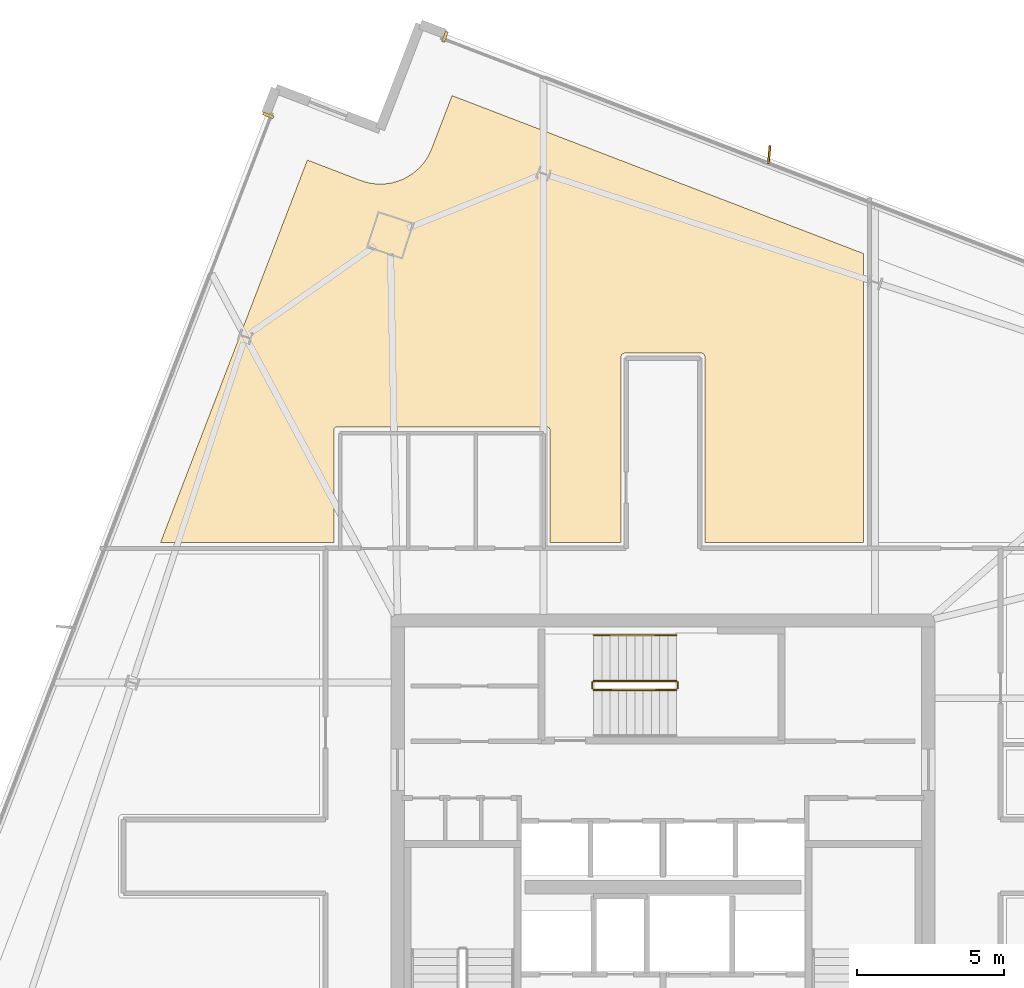
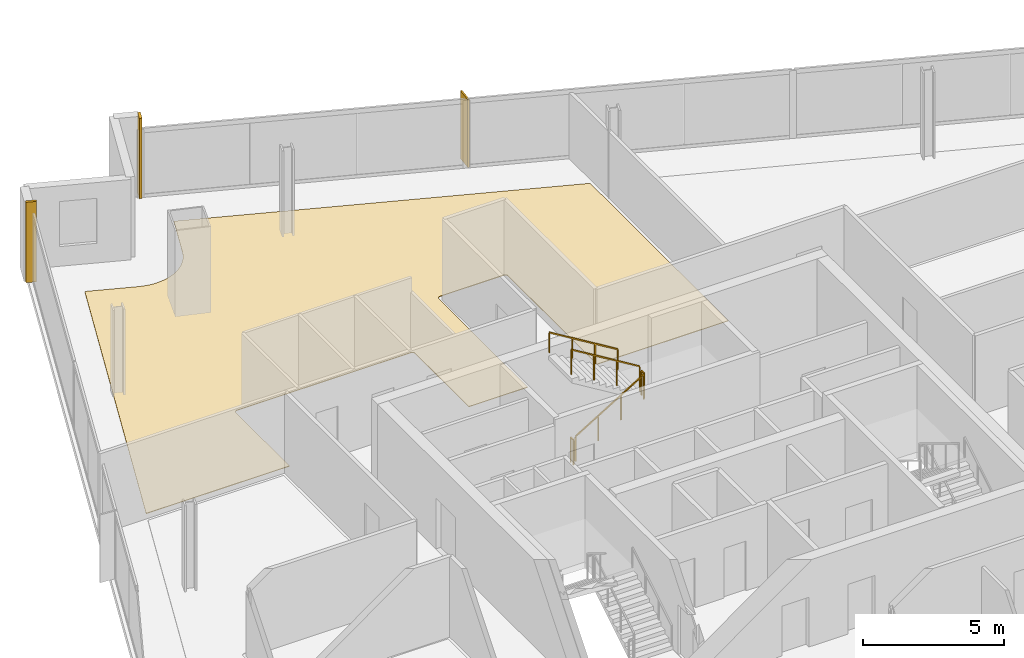
# One storey, part 26 of 27: 5 railings, 3 coverings, 1 shading device.
"""IFC4 building model written with IfcOpenShell, lengths in metres."""

from ifc_helpers import new_model, si_unit, direction, frame, origin, origin_2d, place, context, subcontext, project, spatial, polyline, rectangle, outline, extrude, source, transform, mapped, material, layer, layer_set, type_object, element, save


model = new_model("IFC4")

# Units and contexts
model_context = context("Model", 3, precision=1e-05, world=origin(), true_north=direction((0.0, 1.0)))
body_context = subcontext(model_context, "Body", "Model", "MODEL_VIEW")
ifc_project = project(units=[si_unit("LENGTHUNIT", "METRE"), si_unit("AREAUNIT", "SQUARE_METRE"), si_unit("VOLUMEUNIT", "CUBIC_METRE"), si_unit("PLANEANGLEUNIT", "RADIAN"), si_unit("MASSUNIT", "GRAM", prefix="KILO")], contexts=[model_context])

# Site, building, storey
site_placement = place(None, origin())
site = spatial("IfcSite", under=ifc_project, at=site_placement, CompositionType="ELEMENT")
building_placement = place(site_placement, origin())
building = spatial("IfcBuilding", under=site, at=building_placement, Name="Haldenkirk Collegiate Tower", CompositionType="ELEMENT")
storey_placement = place(building_placement, frame((0.0, 0.0, 259.949951171875)))
storey = spatial("IfcBuildingStorey", under=building, at=storey_placement, Name="L65", CompositionType="ELEMENT", Elevation=259.949951171875)

# Covering
ifc_material_1 = material(Name="Polished collegiate terrazzo", Category="concrete")
ifc_layer_1 = layer(ifc_material_1, 0.02490234375)
ifc_layer_set_1 = layer_set([ifc_layer_1], Name="Polished collegiate terrazzo")
covering_type_1 = type_object("IfcCoveringType", Name="COV-FLOOR-TERRAZZO", PredefinedType="FLOORING", material=ifc_layer_set_1)
covering_placement = place(storey_placement, origin())
element("IfcCovering", 1, at=covering_placement, inside=storey, type_object=covering_type_1, Name="L65 academic room finish 06", PredefinedType="FLOORING", context=body_context, shape_type="SweptSolid", body=[
    extrude(outline(polyline([(25.736083984375, 48.931396484375), (25.74169921875, 48.92919921875), (25.90478515625, 48.875732421875), (25.916259765625, 48.87255859375), (26.083740234375, 48.835205078125), (26.095458984375, 48.833251953125), (26.265869140625, 48.8125), (26.277587890625, 48.8115234375), (26.449462890625, 48.8076171875), (26.461181640625, 48.80810546875), (26.63232421875, 48.82080078125), (26.644287109375, 48.822509765625), (26.813232421875, 48.85205078125), (26.82470703125, 48.854736328125), (26.989990234375, 48.900634765625), (27.00146484375, 48.904296875), (27.16162109375, 48.966552734375), (27.172119140625, 48.97119140625), (27.325439453125, 49.048828125), (27.335693359375, 49.0546875), (27.480712890625, 49.146728515625), (27.490234375, 49.153564453125), (27.62548828125, 49.259521484375), (27.634521484375, 49.26708984375), (27.758544921875, 49.3857421875), (27.7666015625, 49.394287109375), (27.878662109375, 49.5244140625), (27.885986328125, 49.53369140625), (27.984619140625, 49.67431640625), (27.99072265625, 49.684326171875), (28.0751953125, 49.833740234375), (28.08056640625, 49.84423828125), (28.14990234375, 50.00146484375), (28.152099609375, 50.007080078125), (28.84375, 51.808837890625), (42.800048828125, 46.451416015625), (42.800048828125, 36.64990234375), (37.419921875, 36.64990234375), (37.419921875, 42.949951171875), (37.41943359375, 42.9619140625), (37.417724609375, 42.973388671875), (37.414794921875, 42.98486328125), (37.410888671875, 42.995849609375), (37.40576171875, 43.006591796875), (37.39990234375, 43.0166015625), (37.392822265625, 43.026123046875), (37.385009765625, 43.034912109375), (37.376220703125, 43.042724609375), (37.36669921875, 43.0498046875), (37.356689453125, 43.055908203125), (37.345947265625, 43.060791015625), (37.334716796875, 43.064697265625), (37.323486328125, 43.067626953125), (37.311767578125, 43.0693359375), (37.300048828125, 43.070068359375), (34.699951171875, 43.070068359375), (34.688232421875, 43.0693359375), (34.676513671875, 43.067626953125), (34.665283203125, 43.064697265625), (34.654052734375, 43.060791015625), (34.643310546875, 43.055908203125), (34.63330078125, 43.0498046875), (34.623779296875, 43.042724609375), (34.614990234375, 43.034912109375), (34.607177734375, 43.026123046875), (34.60009765625, 43.0166015625), (34.59423828125, 43.006591796875), (34.589111328125, 42.995849609375), (34.585205078125, 42.98486328125), (34.582275390625, 42.973388671875), (34.58056640625, 42.9619140625), (34.580078125, 42.949951171875), (34.580078125, 36.64990234375), (32.169921875, 36.64990234375), (32.169921875, 40.449951171875), (32.16943359375, 40.4619140625), (32.167724609375, 40.473388671875), (32.164794921875, 40.48486328125), (32.160888671875, 40.495849609375), (32.15576171875, 40.506591796875), (32.14990234375, 40.5166015625), (32.142822265625, 40.526123046875), (32.135009765625, 40.534912109375), (32.126220703125, 40.542724609375), (32.11669921875, 40.5498046875), (32.106689453125, 40.555908203125), (32.095947265625, 40.560791015625), (32.084716796875, 40.564697265625), (32.073486328125, 40.567626953125), (32.061767578125, 40.5693359375), (32.050048828125, 40.570068359375), (24.949951171875, 40.570068359375), (24.938232421875, 40.5693359375), (24.926513671875, 40.567626953125), (24.915283203125, 40.564697265625), (24.904052734375, 40.560791015625), (24.893310546875, 40.555908203125), (24.88330078125, 40.5498046875), (24.873779296875, 40.542724609375), (24.864990234375, 40.534912109375), (24.857177734375, 40.526123046875), (24.85009765625, 40.5166015625), (24.84423828125, 40.506591796875), (24.839111328125, 40.495849609375), (24.835205078125, 40.48486328125), (24.832275390625, 40.473388671875), (24.83056640625, 40.4619140625), (24.830078125, 40.449951171875), (24.830078125, 36.64990234375), (18.95458984375, 36.64990234375), (23.934326171875, 49.623046875), (25.736083984375, 48.931396484375)])), origin(), (0.0, 0.0, 1.0), 0.025146484375),
])

# Railings
ifc_material_2 = material(Name="Painted architectural tubular steel", Category="steel")
railing_type_1 = type_object("IfcRailingType", Name="RLG-STAIR-GUARD-1100", PredefinedType="BALUSTRADE", material=ifc_material_2)
railing_1_placement = place(storey_placement, frame((33.64990234375, 31.64990234375, 0.17041015625)))
element("IfcRailing", 2, at=railing_1_placement, inside=storey, type_object=railing_type_1, Name="L65 ST-3 stair guard 1", PredefinedType="BALUSTRADE", context=body_context, shape_type="SweptSolid", body=[
    extrude(rectangle(XDim=0.048095703125, YDim=0.048095703125, at=origin_2d()), frame((0.0, 0.0, 1.076171875), z_axis=(0.854169791009, 0.0, 0.51999420009), x_axis=(0.0, 1.0, 0.0)), (0.0, 0.0, 1.0), 3.278076171875),
    extrude(rectangle(XDim=0.0419921875, YDim=0.0419921875, at=origin_2d()), origin(), (0.0, 0.0, 1.0), 1.052001953125),
    extrude(rectangle(XDim=0.0419921875, YDim=0.0419921875, at=origin_2d()), frame((0.933349609375, 0.0, 0.568115234375)), (0.0, 0.0, 1.0), 1.052001953125),
    extrude(rectangle(XDim=0.0419921875, YDim=0.0419921875, at=origin_2d()), frame((1.86669921875, 0.0, 1.136474609375)), (0.0, 0.0, 1.0), 1.052001953125),
    extrude(rectangle(XDim=0.0419921875, YDim=0.0419921875, at=origin_2d()), frame((2.800048828125, 0.0, 1.70458984375)), (0.0, 0.0, 1.0), 1.052001953125),
])
railing_2_placement = place(storey_placement, frame((36.5, 31.699951171875, 1.875)))
element("IfcRailing", 3, at=railing_2_placement, inside=storey, type_object=railing_type_1, Name="L65 ST-3 stair guard 2", PredefinedType="BALUSTRADE", context=body_context, shape_type="SweptSolid", body=[
    extrude(rectangle(XDim=0.048095703125, YDim=0.048095703125, at=origin_2d()), frame((0.0, 0.0, 1.076171875), z_axis=(0.0, 1.0, 0.0), x_axis=(-1.0, 0.0, 0.0)), (0.0, 0.0, 1.0), 0.199951171875),
    extrude(rectangle(XDim=0.0419921875, YDim=0.0419921875, at=origin_2d()), origin(), (0.0, 0.0, 1.0), 1.052001953125),
    extrude(rectangle(XDim=0.0419921875, YDim=0.0419921875, at=origin_2d()), frame((0.0, 0.199951171875, 0.0)), (0.0, 0.0, 1.0), 1.052001953125),
])
railing_3_placement = place(storey_placement, frame((36.449951171875, 31.949951171875, 2.04541015625)))
element("IfcRailing", 4, at=railing_3_placement, inside=storey, type_object=railing_type_1, Name="L65 ST-3 stair guard 3", PredefinedType="BALUSTRADE", context=body_context, shape_type="SweptSolid", body=[
    extrude(rectangle(XDim=0.048095703125, YDim=0.048095703125, at=origin_2d()), frame((0.0, 0.0, 1.076171875), z_axis=(-0.854169791009, 0.0, 0.51999420009), x_axis=(0.0, -1.0, 0.0)), (0.0, 0.0, 1.0), 3.278076171875),
    extrude(rectangle(XDim=0.0419921875, YDim=0.0419921875, at=origin_2d()), origin(), (0.0, 0.0, 1.0), 1.052001953125),
    extrude(rectangle(XDim=0.0419921875, YDim=0.0419921875, at=origin_2d()), frame((-0.933349609375, 0.0, 0.568115234375)), (0.0, 0.0, 1.0), 1.052001953125),
    extrude(rectangle(XDim=0.0419921875, YDim=0.0419921875, at=origin_2d()), frame((-1.86669921875, 0.0, 1.136474609375)), (0.0, 0.0, 1.0), 1.052001953125),
    extrude(rectangle(XDim=0.0419921875, YDim=0.0419921875, at=origin_2d()), frame((-2.800048828125, 0.0, 1.70458984375)), (0.0, 0.0, 1.0), 1.052001953125),
])
railing_4_placement = place(storey_placement, frame((33.60009765625, 31.699951171875, 0.0)))
element("IfcRailing", 5, at=railing_4_placement, inside=storey, type_object=railing_type_1, Name="L65 ST-3 stair guard 4", PredefinedType="BALUSTRADE", context=body_context, shape_type="SweptSolid", body=[
    extrude(rectangle(XDim=0.048095703125, YDim=0.048095703125, at=origin_2d()), frame((0.0, 0.0, 1.076171875), z_axis=(0.0, 1.0, 0.0), x_axis=(-1.0, 0.0, 0.0)), (0.0, 0.0, 1.0), 0.199951171875),
    extrude(rectangle(XDim=0.0419921875, YDim=0.0419921875, at=origin_2d()), origin(), (0.0, 0.0, 1.0), 1.052001953125),
    extrude(rectangle(XDim=0.0419921875, YDim=0.0419921875, at=origin_2d()), frame((0.0, 0.199951171875, 0.0)), (0.0, 0.0, 1.0), 1.052001953125),
])
railing_type_2 = type_object("IfcRailingType", Name="RLG-STAIR-HANDRAIL-900", PredefinedType="HANDRAIL", material=ifc_material_2)
railing_5_placement = place(storey_placement, frame((36.449951171875, 33.5, 2.04541015625)))
element("IfcRailing", 6, at=railing_5_placement, inside=storey, type_object=railing_type_2, Name="L65 ST-3 stair handrail 2", PredefinedType="HANDRAIL", context=body_context, shape_type="SweptSolid", body=[
    extrude(rectangle(XDim=0.048095703125, YDim=0.048095703125, at=origin_2d()), frame((0.0, 0.0, 0.8759765625), z_axis=(-0.854169791009, 0.0, 0.51999420009), x_axis=(0.0, -1.0, 0.0)), (0.0, 0.0, 1.0), 3.278076171875),
    extrude(rectangle(XDim=0.0419921875, YDim=0.0419921875, at=origin_2d()), origin(), (0.0, 0.0, 1.0), 0.851806640625),
    extrude(rectangle(XDim=0.0419921875, YDim=0.0419921875, at=origin_2d()), frame((-0.933349609375, 0.0, 0.568115234375)), (0.0, 0.0, 1.0), 0.851806640625),
    extrude(rectangle(XDim=0.0419921875, YDim=0.0419921875, at=origin_2d()), frame((-1.86669921875, 0.0, 1.136474609375)), (0.0, 0.0, 1.0), 0.851806640625),
    extrude(rectangle(XDim=0.0419921875, YDim=0.0419921875, at=origin_2d()), frame((-2.800048828125, 0.0, 1.70458984375)), (0.0, 0.0, 1.0), 0.851806640625),
])

# Coverings
ifc_material_3 = material(Name="Anodised architectural bronze aluminium", Category="aluminium")
ifc_layer_2 = layer(ifc_material_3, 0.06005859375)
ifc_layer_set_2 = layer_set([ifc_layer_2], Name="Anodised architectural bronze aluminium")
covering_type_2 = type_object("IfcCoveringType", Name="COV-CLAD-BRONZE-60", PredefinedType="CLADDING", material=ifc_layer_set_2)
shared_shape_1 = source(origin(), body_context, "Body", "SweptSolid", [
    extrude(rectangle(XDim=0.10009765625, YDim=0.3798828125, at=origin_2d()), origin(), (0.0, 0.0, 1.0), 3.47998046875),
])
for number, where, z_axis, x_axis, name in (
    (7, (28.60400390625, 53.807373046875, 0.0), (0.0, 0.0, 1.0), (0.933580426497, -0.358367949545, 0.0), "L65 recessed curtain-wall bronze jamb closure EJL"),
    (8, (22.609619140625, 51.138427734375, 0.0), (0.0, 0.0, 1.0), (0.358367949545, 0.933580426497, 0.0), "L65 recessed curtain-wall bronze jamb closure NJR"),
):
    element("IfcCovering", number, at=place(storey_placement, frame(where, z_axis=z_axis, x_axis=x_axis)), inside=storey, type_object=covering_type_2, Name=name, PredefinedType="CLADDING", context=body_context, shape_type="MappedRepresentation", body=[
        mapped(shared_shape_1, transform((0.0, 0.0, 0.0), x_axis=(1.0, 0.0, 0.0), y_axis=(0.0, 1.0, 0.0), z_axis=(0.0, 0.0, 1.0), scale=1.0)),
    ])

# Shading device
ifc_layer_3 = layer(ifc_material_3, 0.06494140625)
ifc_layer_set_3 = layer_set([ifc_layer_3], Name="Anodised architectural bronze aluminium")
shading_device_type = type_object("IfcShadingDeviceType", Name="SHD-FIN-BRONZE-620", PredefinedType="USERDEFINED", material=ifc_layer_set_3)
shared_shape_2 = source(origin(), body_context, "Body", "SweptSolid", [
    extrude(rectangle(XDim=0.6201171875, YDim=0.06494140625, at=origin_2d()), origin(), (0.0, 0.0, 1.0), 2.93798828125),
])
shading_device_placement = place(storey_placement, frame((39.603515625, 49.8046875, 0.0), z_axis=(0.0, 0.0, 1.0), x_axis=(0.087155742748, 0.996194698092, 0.0)))
element("IfcShadingDevice", 9, at=shading_device_placement, inside=storey, type_object=shading_device_type, Name="L65 folded bronze solar fin 1", ObjectType="FIN", PredefinedType="USERDEFINED", context=body_context, shape_type="MappedRepresentation", body=[
    mapped(shared_shape_2, transform((0.0, 0.0, 0.0), x_axis=(1.0, 0.0, 0.0), y_axis=(0.0, 1.0, 0.0), z_axis=(0.0, 0.0, 1.0), scale=1.0)),
])

save(model, "model.ifc")
